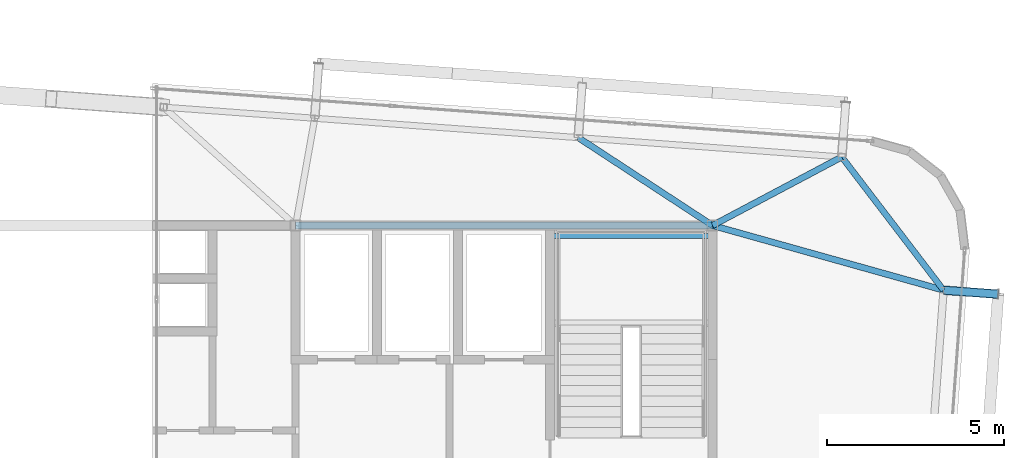
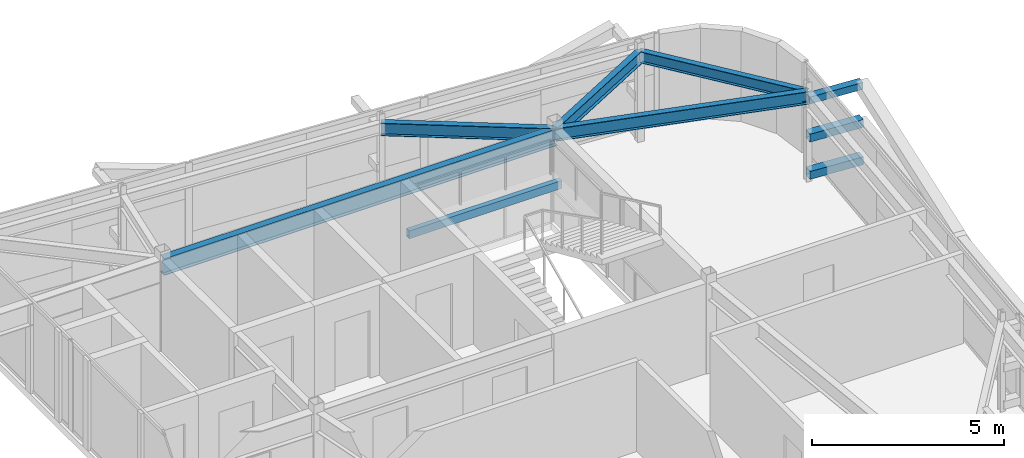
# One storey, part 22 of 40: 6 beams, 3 members.
"""IFC4 building model written with IfcOpenShell, lengths in metres."""

from ifc_helpers import new_model, si_unit, direction, frame, origin, origin_2d, place, context, subcontext, project, spatial, hollow_rectangle, i_section, extrude, source, transform, mapped, material, material_profile, profile_set, type_object, element, save


model = new_model("IFC4")

# Units and contexts
model_context = context("Model", 3, precision=1e-05, world=origin(), true_north=direction((0.0, 1.0)))
body_context = subcontext(model_context, "Body", "Model", "MODEL_VIEW")
ifc_project = project(units=[si_unit("LENGTHUNIT", "METRE"), si_unit("AREAUNIT", "SQUARE_METRE"), si_unit("VOLUMEUNIT", "CUBIC_METRE"), si_unit("PLANEANGLEUNIT", "RADIAN"), si_unit("MASSUNIT", "GRAM", prefix="KILO")], contexts=[model_context])

# Site, building, storey
site_placement = place(None, origin())
site = spatial("IfcSite", under=ifc_project, at=site_placement, CompositionType="ELEMENT")
building_placement = place(site_placement, origin())
building = spatial("IfcBuilding", under=site, at=building_placement, Name="Taldren Reach Tower", CompositionType="ELEMENT")
storey_placement = place(building_placement, frame((0.0, 0.0, 233.449951171875)))
storey = spatial("IfcBuildingStorey", under=building, at=storey_placement, Name="L71", CompositionType="ELEMENT", Elevation=233.449951171875)

# Beams
ifc_material_1 = material(Name="Steel Gr 350 (350PLUS)", Category="steel")
ifc_material_profile_1 = material_profile(ifc_material_1, i_section(OverallWidth=0.208984375, OverallDepth=0.532958984375, WebThickness=0.01025390625, FlangeThickness=0.015625, at=origin_2d()), Name="530UB92.4")
ifc_profile_set_1 = profile_set([ifc_material_profile_1], Name="Steel Gr 350 (350PLUS)")
beam_type_1 = type_object("IfcBeamType", Name="BM-UB530A", PredefinedType="BEAM", material=ifc_profile_set_1)
shared_shape_1 = source(origin(), body_context, "Body", "SweptSolid", [
    extrude(i_section(OverallWidth=0.208984375, OverallDepth=0.532958984375, WebThickness=0.01025390625, FlangeThickness=0.015625, at=origin_2d()), origin(), (0.0, 0.0, 1.0), 11.800048828125),
])
beam_1_placement = place(storey_placement, frame((39.199951171875, 32.0, 2.603515625), z_axis=(1.0, 0.0, 0.0), x_axis=(0.0, 1.0, 0.0)))
element("IfcBeam", 1, at=beam_1_placement, inside=storey, type_object=beam_type_1, Name="Core-spine girder L71-SP06", PredefinedType="BEAM", context=body_context, shape_type="MappedRepresentation", body=[
    mapped(shared_shape_1, transform((0.0, 0.0, 0.0), scale=1.0)),
])
ifc_material_profile_2 = material_profile(ifc_material_1, i_section(OverallWidth=0.172119140625, OverallDepth=0.35888671875, WebThickness=0.008056640625, FlangeThickness=0.012939453125, at=origin_2d()), Name="360UB56.7")
ifc_profile_set_2 = profile_set([ifc_material_profile_2], Name="Steel Gr 350 (350PLUS)")
beam_type_2 = type_object("IfcBeamType", Name="SP-UB360", PredefinedType="SPANDREL", material=ifc_profile_set_2)
shared_shape_2 = source(origin(), body_context, "Body", "SweptSolid", [
    extrude(i_section(OverallWidth=0.172119140625, OverallDepth=0.35888671875, WebThickness=0.008056640625, FlangeThickness=0.012939453125, at=origin_2d()), origin(), (0.0, 0.0, 1.0), 4.745849609375),
])
beam_2_placement = place(storey_placement, frame((57.540771484375, 30.168701171875, 2.6904296875), z_axis=(-0.607136906115, 0.79459724215, 0.0), x_axis=(-0.79459724215, -0.607136906115, 0.0)))
element("IfcBeam", 2, at=beam_2_placement, inside=storey, type_object=beam_type_2, Name="Perimeter spandrel B5 E3-N6 L71", PredefinedType="SPANDREL", context=body_context, shape_type="MappedRepresentation", body=[
    mapped(shared_shape_2, transform((0.0, 0.0, 0.0), scale=1.0)),
])
ifc_material_profile_3 = material_profile(ifc_material_1, i_section(OverallWidth=0.177978515625, OverallDepth=0.406005859375, WebThickness=0.0078125, FlangeThickness=0.0126953125, at=origin_2d()), Name="410UB59.7")
ifc_profile_set_3 = profile_set([ifc_material_profile_3], Name="Steel Gr 350 (350PLUS)")
beam_type_3 = type_object("IfcBeamType", Name="BM-UB410", PredefinedType="BEAM", material=ifc_profile_set_3)
shared_shape_3 = source(origin(), body_context, "Body", "SweptSolid", [
    extrude(i_section(OverallWidth=0.177978515625, OverallDepth=0.406005859375, WebThickness=0.0078125, FlangeThickness=0.0126953125, at=origin_2d()), origin(), (0.0, 0.0, 1.0), 6.792236328125),
])
beam_3_placement = place(storey_placement, frame((51.0, 32.0, 2.6669921875), z_axis=(0.962968499215, -0.269613926789, 0.0), x_axis=(0.269613926789, 0.962968499215, 0.0)))
element("IfcBeam", 3, at=beam_3_placement, inside=storey, type_object=beam_type_3, Name="Primary floor girder B5-E3 L71", PredefinedType="BEAM", context=body_context, shape_type="MappedRepresentation", body=[
    mapped(shared_shape_3, transform((0.0, 0.0, 0.0), scale=1.0)),
])
shared_shape_4 = source(origin(), body_context, "Body", "SweptSolid", [
    extrude(i_section(OverallWidth=0.177978515625, OverallDepth=0.406005859375, WebThickness=0.0078125, FlangeThickness=0.0126953125, at=origin_2d()), origin(), (0.0, 0.0, 1.0), 4.1416015625),
])
beam_4_placement = place(storey_placement, frame((51.0, 32.0, 2.6669921875), z_axis=(0.883552655042, 0.468331832965, 0.0), x_axis=(-0.468331832965, 0.883552655042, 0.0)))
element("IfcBeam", 4, at=beam_4_placement, inside=storey, type_object=beam_type_3, Name="Primary floor girder B5-N6 L71", PredefinedType="BEAM", context=body_context, shape_type="MappedRepresentation", body=[
    mapped(shared_shape_4, transform((0.0, 0.0, 0.0), scale=1.0)),
])
shared_shape_5 = source(origin(), body_context, "Body", "SweptSolid", [
    extrude(i_section(OverallWidth=0.177978515625, OverallDepth=0.406005859375, WebThickness=0.0078125, FlangeThickness=0.0126953125, at=origin_2d()), origin(), (0.0, 0.0, 1.0), 4.542236328125),
])
beam_5_placement = place(storey_placement, frame((51.0, 32.0, 2.6669921875), z_axis=(-0.836709129479, 0.547647544181, 0.0), x_axis=(-0.547647544181, -0.836709129479, 0.0)))
element("IfcBeam", 5, at=beam_5_placement, inside=storey, type_object=beam_type_3, Name="Primary floor girder B5-N5 L71", PredefinedType="BEAM", context=body_context, shape_type="MappedRepresentation", body=[
    mapped(shared_shape_5, transform((0.0, 0.0, 0.0), scale=1.0)),
])

# Members
ifc_material_2 = material(Name="Steel Gr 450 (C450L0)", Category="steel")
ifc_material_profile_4 = material_profile(ifc_material_2, hollow_rectangle(XDim=0.219970703125, YDim=0.219970703125, WallThickness=0.00830078125, at=origin_2d()), Name="220x220x8.2SHS")
ifc_profile_set_4 = profile_set([ifc_material_profile_4], Name="Steel Gr 450 (C450L0)")
member_type_1 = type_object("IfcMemberType", Name="MB-TIE219", PredefinedType="STRUT", material=ifc_profile_set_4)
shared_shape_6 = source(origin(), body_context, "Body", "SweptSolid", [
    extrude(hollow_rectangle(XDim=0.219970703125, YDim=0.219970703125, WallThickness=0.00830078125, at=origin_2d()), origin(), (0.0, 0.0, 1.0), 1.5458984375),
])
member_placement = place(storey_placement, frame((57.544921875, 30.168212890625, 2.590087890625), z_axis=(0.99732305975, -0.073121231459, 0.0), x_axis=(0.073121231459, 0.99732305975, 0.0)))
element("IfcMember", 6, at=member_placement, inside=storey, type_object=member_type_1, Name="Exoskeleton diaphragm tie strut B5-E3 L71", PredefinedType="STRUT", context=body_context, shape_type="MappedRepresentation", body=[
    mapped(shared_shape_6, transform((0.0, 0.0, 0.0), scale=1.0)),
])
ifc_material_3 = material(Name="Steel Gr 350 (C350L0)", Category="steel")
ifc_material_profile_5 = material_profile(ifc_material_3, hollow_rectangle(XDim=0.25, YDim=0.25, WallThickness=0.010009765625, at=origin_2d()), Name="250x250x10.0SHS")
ifc_profile_set_5 = profile_set([ifc_material_profile_5], Name="Steel Gr 350 (C350L0)")
member_type_2 = type_object("IfcMemberType", Name="MB-POST250", PredefinedType="POST", material=ifc_profile_set_5)
shared_shape_7 = source(origin(), body_context, "Body", "SweptSolid", [
    extrude(hollow_rectangle(XDim=0.25, YDim=0.25, WallThickness=0.010009765625, at=origin_2d()), origin(), (0.0, 0.0, 1.0), 1.5458984375),
])
for number, where, z_axis, x_axis, name in (
    (7, (57.544921875, 30.168212890625, 0.219970703125), (0.99732305975, -0.073121231459, 0.0), (0.073121231459, 0.99732305975, 0.0), "Exoskeleton base diaphragm tie strut B5-E3 L71"),
    (8, (57.544921875, 30.168212890625, 1.405029296875), (0.99732305975, -0.073121231459, 0.0), (0.073121231459, 0.99732305975, 0.0), "Exoskeleton mid-tier diaphragm tie B5-E3 L71"),
):
    element("IfcMember", number, at=place(storey_placement, frame(where, z_axis=z_axis, x_axis=x_axis)), inside=storey, type_object=member_type_2, Name=name, PredefinedType="POST", context=body_context, shape_type="MappedRepresentation", body=[
        mapped(shared_shape_7, transform((0.0, 0.0, 0.0), scale=1.0)),
    ])

# Beam
ifc_material_profile_6 = material_profile(ifc_material_3, hollow_rectangle(XDim=0.14990234375, YDim=0.25, WallThickness=0.009033203125, at=origin_2d()), Name="250x150x9.0RHS")
ifc_profile_set_6 = profile_set([ifc_material_profile_6], Name="Steel Gr 350 (C350L0)")
beam_type_4 = type_object("IfcBeamType", Name="LN-RHS250", PredefinedType="LINTEL", material=ifc_profile_set_6)
shared_shape_8 = source(origin(), body_context, "Body", "SweptSolid", [
    extrude(hollow_rectangle(XDim=0.14990234375, YDim=0.25, WallThickness=0.009033203125, at=origin_2d()), origin(), (0.0, 0.0, 1.0), 4.60009765625),
])
beam_6_placement = place(storey_placement, frame((46.39990234375, 31.699951171875, 1.27001953125), z_axis=(1.0, 0.0, 0.0), x_axis=(0.0, 1.0, 0.0)))
element("IfcBeam", 9, at=beam_6_placement, inside=storey, type_object=beam_type_4, Name="Stair half-landing support beam ST2-L71-2", PredefinedType="LINTEL", context=body_context, shape_type="MappedRepresentation", body=[
    mapped(shared_shape_8, transform((0.0, 0.0, 0.0), scale=1.0)),
])

save(model, "model.ifc")
